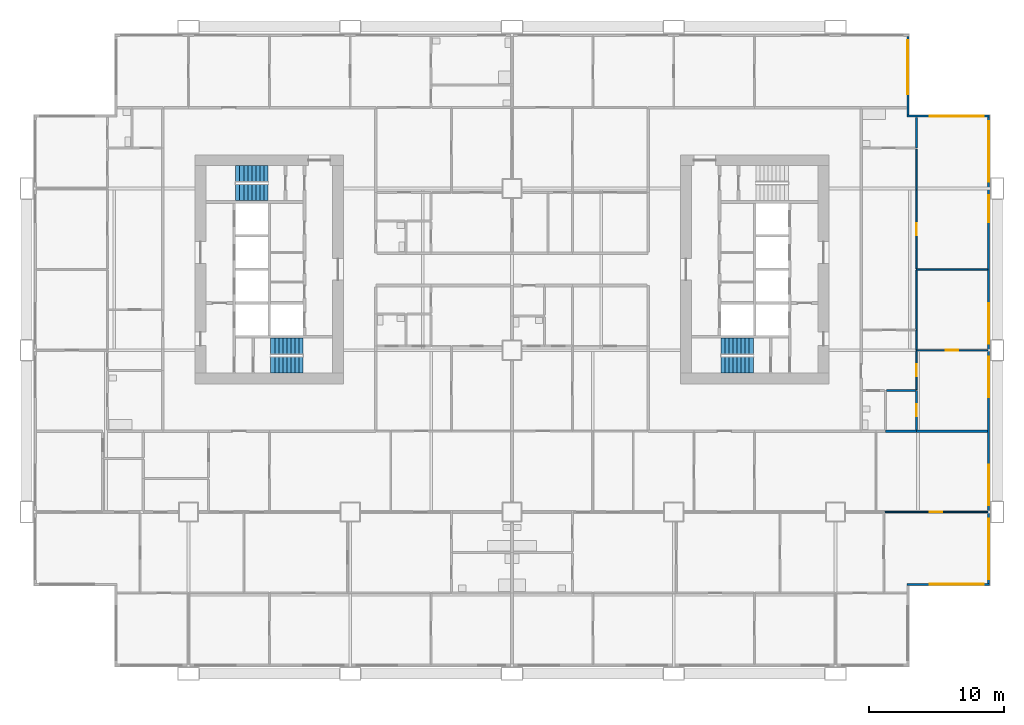
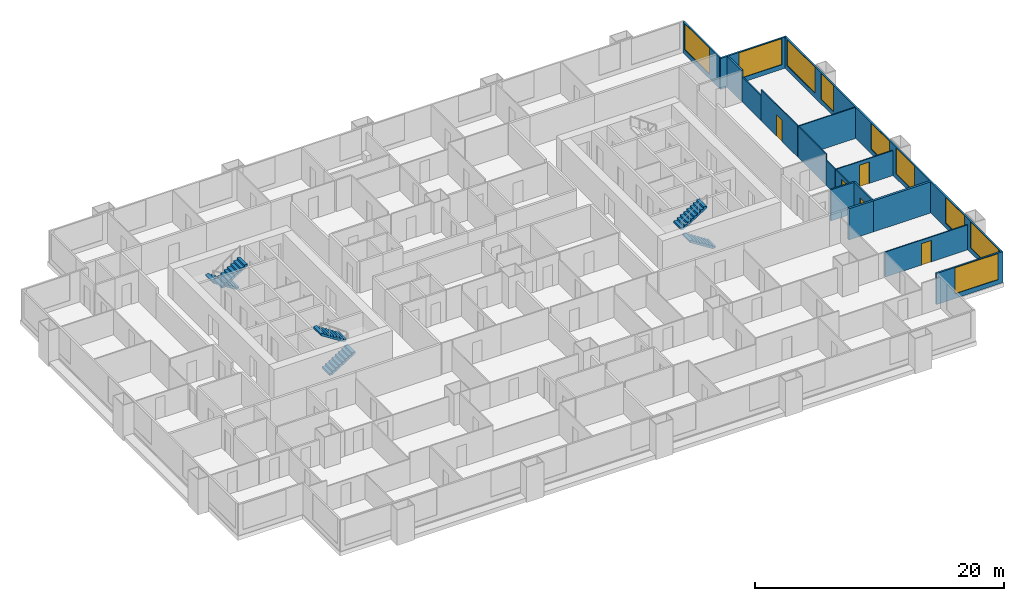
# One storey, part 11 of 14: 17 walls, 9 windows, 6 stair flights, 5 doors, 14 openings, 3 elements without a shape of their own.
"""IFC4 building model written with IfcOpenShell, lengths in metres."""

import ifcopenshell
import ifcopenshell.guid

model = None  # the IFC model being written
_history = None  # IfcOwnerHistory: only IFC2X3 demands one
_inside = {}  # id of a spatial element -> (the spatial element, [elements in it])
_under = {}  # id of a project, library or spatial element -> (it, [spatial elements below it])
_declared = {}  # id of a project -> (the project, [libraries it declares])
_typed = {}  # id of a type object -> (the type object, [elements of that type])
_made_of = {}  # id of a material, layer set ... -> (it, [elements and type objects made of it])


def new_model(schema):
    """Start an empty IFC model of exactly this schema.

    Asked for "IFC4X3", IfcOpenShell would pick the latest addendum, in which some entities
    have other attributes; the version numbers below select the first issue.
    IFC2X3 requires an IfcOwnerHistory on every rooted entity: one is made here for all.
    """
    global model, _history
    if schema == "IFC4X3":
        model = ifcopenshell.file(schema_version=(4, 3, 0, 0))
    else:
        model = ifcopenshell.file(schema=schema)
    _inside.clear()
    _under.clear()
    _declared.clear()
    _typed.clear()
    _made_of.clear()
    _history = None
    if model.schema == "IFC2X3":
        org = make("IfcOrganization", Name="unknown")
        user = make(
            "IfcPersonAndOrganization",
            ThePerson=make("IfcPerson", FamilyName="unknown"),
            TheOrganization=org,
        )
        app = make(
            "IfcApplication",
            ApplicationDeveloper=org,
            Version="unknown",
            ApplicationFullName="unknown",
            ApplicationIdentifier="unknown",
        )
        _history = make(
            "IfcOwnerHistory",
            OwningUser=user,
            OwningApplication=app,
            ChangeAction="ADDED",
            CreationDate=0,
        )
    return model


def make(cls, **values):
    """One entity of the class cls with the attributes given. An attribute that is None is left unset."""
    return model.create_entity(
        cls, **{name: value for name, value in values.items() if value is not None}
    )


def rooted(cls, **values):
    """An entity with a GlobalId (a new one), such as an element, a storey or a relation."""
    return make(cls, GlobalId=ifcopenshell.guid.new(), OwnerHistory=_history, **values)


def si_unit(unit_type, name, prefix=None):
    """IfcSIUnit, for example si_unit("LENGTHUNIT", "METRE", prefix="MILLI")."""
    return make("IfcSIUnit", UnitType=unit_type, Prefix=prefix, Name=name)


def assignment(units):
    """IfcUnitAssignment: the units of a project."""
    return None if units is None else make("IfcUnitAssignment", Units=units)


def point(xyz):
    """IfcCartesianPoint."""
    return None if xyz is None else make("IfcCartesianPoint", Coordinates=xyz)


def direction(xyz):
    """IfcDirection."""
    return None if xyz is None else make("IfcDirection", DirectionRatios=xyz)


def frame(location, z_axis=None, x_axis=None):
    """IfcAxis2Placement3D, a coordinate frame: its origin and axes. An axis left out is left unset."""
    return make(
        "IfcAxis2Placement3D",
        Location=point(location),
        Axis=direction(z_axis),
        RefDirection=direction(x_axis),
    )


def frame_2d(location, x_axis=None):
    """IfcAxis2Placement2D, a coordinate frame in the plane: its origin and x axis."""
    return make(
        "IfcAxis2Placement2D", Location=point(location), RefDirection=direction(x_axis)
    )


def origin():
    """The frame at (0, 0, 0) with its axes left unset."""
    return frame((0.0, 0.0, 0.0))


def place(relative_to, where):
    """IfcLocalPlacement: puts the frame where relative to a parent placement (None: the world)."""
    return make(
        "IfcLocalPlacement", PlacementRelTo=relative_to, RelativePlacement=where
    )


def context(
    kind, dimensions, precision=None, world=None, true_north=None, identifier=None
):
    """IfcGeometricRepresentationContext, for example the 3D "Model" context."""
    return make(
        "IfcGeometricRepresentationContext",
        ContextIdentifier=identifier,
        ContextType=kind,
        CoordinateSpaceDimension=dimensions,
        Precision=precision,
        WorldCoordinateSystem=world,
        TrueNorth=true_north,
    )


def subcontext(parent, identifier, kind, view, scale=None):
    """IfcGeometricRepresentationSubContext, for example "Body" below "Model"."""
    return make(
        "IfcGeometricRepresentationSubContext",
        ContextIdentifier=identifier,
        ContextType=kind,
        ParentContext=parent,
        TargetScale=scale,
        TargetView=view,
    )


def project(units=None, contexts=None):
    """IfcProject with its units and contexts."""
    return rooted(
        "IfcProject",
        Name="project",
        RepresentationContexts=contexts,
        UnitsInContext=assignment(units),
    )


def spatial(cls, under=None, at=None, **own):
    """A site, building, storey or space (cls), placed at a placement, below another one or the project."""
    s = rooted(cls, ObjectPlacement=at, **own)
    if under is not None:
        _under.setdefault(under.id(), (under, []))[1].append(s)
    return s


def polyline(points):
    """IfcPolyline through the points."""
    return make("IfcPolyline", Points=[point(p) for p in points])


def profile(cls, at=None, kind="AREA", **sizes):
    """A parametric profile (cls). Its sizes go by their IFC names, for example OverallWidth=200.0."""
    return make(cls, ProfileType=kind, Position=at, **sizes)


def rectangle(**sizes):
    """IfcRectangleProfileDef."""
    return profile("IfcRectangleProfileDef", **sizes)


def outline(outer, holes=None, kind="AREA"):
    """IfcArbitraryClosedProfileDef: a profile drawn as a closed curve; with holes, ...WithVoids."""
    if holes is None:
        return make("IfcArbitraryClosedProfileDef", ProfileType=kind, OuterCurve=outer)
    return make(
        "IfcArbitraryProfileDefWithVoids",
        ProfileType=kind,
        OuterCurve=outer,
        InnerCurves=holes,
    )


def extrude(swept, where, along, depth):
    """IfcExtrudedAreaSolid: the profile swept, set in the frame where, extruded along a direction by depth."""
    return make(
        "IfcExtrudedAreaSolid",
        SweptArea=swept,
        Position=where,
        ExtrudedDirection=direction(along),
        Depth=depth,
    )


def shape(context_of_items, identifier, shape_type, items):
    """IfcShapeRepresentation: the items that make up one representation, for example the "Body"."""
    return make(
        "IfcShapeRepresentation",
        ContextOfItems=context_of_items,
        RepresentationIdentifier=identifier,
        RepresentationType=shape_type,
        Items=items,
    )


def material(Name=None, Category=None):
    """IfcMaterial."""
    return make("IfcMaterial", Name=Name, Category=Category)


def layer(
    of_material, thickness, ventilated=None, Name=None, Category=None, Priority=None
):
    """IfcMaterialLayer: one layer of a wall or slab, of a material (None: an air gap)."""
    return make(
        "IfcMaterialLayer",
        Material=of_material,
        LayerThickness=thickness,
        IsVentilated=ventilated,
        Name=Name,
        Category=Category,
        Priority=Priority,
    )


def layer_set(layers, Name=None):
    """IfcMaterialLayerSet."""
    return make("IfcMaterialLayerSet", MaterialLayers=layers, LayerSetName=Name)


def made_of(thing, what):
    """Note that an element or type object is made of a material, layer set ...; save() writes the relation."""
    if what is not None:
        _made_of.setdefault(what.id(), (what, []))[1].append(thing)
    return thing


def type_object(cls, material=None, **own):
    """A type object (cls), such as IfcWallType, which elements share."""
    return made_of(rooted(cls, **own), material)


def element(
    cls,
    number,
    at=None,
    inside=None,
    cuts=None,
    type_object=None,
    material=None,
    context=None,
    identifier="Body",
    shape_type=None,
    held_by="IfcProductDefinitionShape",
    body=None,
    shapes=None,
    **own,
):
    """One element of the class cls, such as IfcWall. Its Tag is "e" and its number.

    at: its placement. inside: the storey or other place that contains it. cuts: it is an
    opening in that element (IfcRelVoidsElement). A single representation is given by context,
    identifier, shape_type and body (its items); several are given by shapes. held_by: the class
    of the entity that holds the representations. save() writes the other relations.
    """
    e = rooted(cls, Tag="e%d" % number, ObjectPlacement=at, **own)
    if body is not None:
        shapes = [shape(context, identifier, shape_type, body)]
    if shapes is not None:
        e.Representation = make(held_by, Representations=shapes)
    if inside is not None:
        _inside.setdefault(inside.id(), (inside, []))[1].append(e)
    if cuts is not None:
        rooted(
            "IfcRelVoidsElement", RelatingBuildingElement=cuts, RelatedOpeningElement=e
        )
    if type_object is not None:
        _typed.setdefault(type_object.id(), (type_object, []))[1].append(e)
    return made_of(e, material)


def fill(opening, filler):
    """IfcRelFillsElement: the door or window that sits in an opening."""
    return rooted(
        "IfcRelFillsElement",
        RelatingOpeningElement=opening,
        RelatedBuildingElement=filler,
    )


def aggregate(whole, parts):
    """IfcRelAggregates: a whole, such as a stair, and the parts it consists of."""
    return rooted("IfcRelAggregates", RelatingObject=whole, RelatedObjects=parts)


def save(model, path):
    """Write the relations noted so far, then the file.

    IfcRelAggregates (storeys below a building ...), IfcRelContainedInSpatialStructure (elements
    in a storey), IfcRelDefinesByType, IfcRelAssociatesMaterial and IfcRelDeclares: one each for
    every whole, place, type object, material and project.
    """
    for whole, parts in _under.values():
        aggregate(whole, parts)
    for where, things in _inside.values():
        rooted(
            "IfcRelContainedInSpatialStructure",
            RelatedElements=things,
            RelatingStructure=where,
        )
    for kind, things in _typed.values():
        rooted("IfcRelDefinesByType", RelatedObjects=things, RelatingType=kind)
    for what, things in _made_of.values():
        rooted("IfcRelAssociatesMaterial", RelatedObjects=things, RelatingMaterial=what)
    for by, libraries in _declared.values():
        rooted("IfcRelDeclares", RelatingContext=by, RelatedDefinitions=libraries)
    model.write(path)


model = new_model("IFC4")

# Units and contexts
model_context = context("Model", 3, precision=1e-05, world=origin(), true_north=direction((0.0, 1.0)))
body_context = subcontext(model_context, "Body", "Model", "MODEL_VIEW")
ifc_project = project(units=[si_unit("LENGTHUNIT", "METRE"), si_unit("AREAUNIT", "SQUARE_METRE"), si_unit("VOLUMEUNIT", "CUBIC_METRE"), si_unit("PLANEANGLEUNIT", "RADIAN"), si_unit("MASSUNIT", "GRAM", prefix="KILO")], contexts=[model_context])

# Site, building, storey
site_placement = place(None, origin())
site = spatial("IfcSite", under=ifc_project, at=site_placement, CompositionType="ELEMENT")
building_placement = place(site_placement, origin())
building = spatial("IfcBuilding", under=site, at=building_placement, Name="Kitamizu Gate Tower and Museum", CompositionType="ELEMENT")
storey_placement = place(building_placement, frame((0.0, 0.0, 61.050048828125)))
storey = spatial("IfcBuildingStorey", under=building, at=storey_placement, Name="L14", CompositionType="ELEMENT", Elevation=61.050048828125)

# Wall, opening, door
ifc_material_1 = material(Name="Gypsum board on galvanised stud")
ifc_layer_1 = layer(ifc_material_1, 0.10009765625)
ifc_layer_set_1 = layer_set([ifc_layer_1], Name="Gypsum board on galvanised stud")
wall_type_1 = type_object("IfcWallType", Name="Partition 100 NOT RATED", PredefinedType="PARTITIONING", material=ifc_layer_set_1)
wall_1_placement = place(storey_placement, frame((71.280029296875, 12.0, 0.0), z_axis=(0.0, 0.0, 1.0), x_axis=(-1.0, 0.0, 0.0)))
wall_1 = element("IfcWall", 1, at=wall_1_placement, inside=storey, type_object=wall_type_1, Name="Partition L14-098", PredefinedType="PARTITIONING", context=body_context, shape_type="SweptSolid", body=[
    extrude(rectangle(XDim=7.64501953125, YDim=0.10009765625, at=frame_2d((3.822509765625, 0.0))), origin(), (0.0, 0.0, 1.0), 2.449951171875),
])
opening_1_placement = place(wall_1_placement, frame((3.37255859375, 0.0, 0.0)))
opening_1 = element("IfcOpeningElement", 2, at=opening_1_placement, cuts=wall_1, Name="Opening L14-040", PredefinedType="OPENING", context=body_context, shape_type="SweptSolid", body=[
    extrude(rectangle(XDim=0.89990234375, YDim=2.10009765625, at=frame_2d((0.449951171875, 1.050048828125))), frame((0.0, 0.06005859375, 0.0), z_axis=(0.0, -1.0, 0.0), x_axis=(1.0, 0.0, 0.0)), (0.0, 0.0, 1.0), 0.1201171875),
])
ifc_material_2 = material(Name="Timber door set", Category="wood")
door_type_1 = type_object("IfcDoorType", Name="Room door 900", OperationType="NOTDEFINED", PredefinedType="DOOR", material=ifc_material_2)
door_1_placement = place(opening_1_placement, origin())
door_1 = element("IfcDoor", 3, at=door_1_placement, inside=storey, type_object=door_type_1, Name="Door L14-040", OperationType="SINGLE_SWING_LEFT", OverallHeight=2.10009765625, OverallWidth=0.89990234375, PredefinedType="DOOR", context=body_context, shape_type="SweptSolid", body=[
    extrude(rectangle(XDim=0.89990234375, YDim=2.10009765625, at=frame_2d((0.449951171875, 1.050048828125))), frame((0.0, 0.02490234375, 0.0), z_axis=(0.0, -1.0, 0.0), x_axis=(1.0, 0.0, 0.0)), (0.0, 0.0, 1.0), 0.050048828125),
])
fill(opening_1, door_1)

wall_2_placement = place(storey_placement, frame((71.280029296875, 24.0, 0.0), z_axis=(0.0, 0.0, 1.0), x_axis=(-1.0, 0.0, 0.0)))
wall_2 = element("IfcWall", 4, at=wall_2_placement, inside=storey, type_object=wall_type_1, Name="Partition L14-207", PredefinedType="PARTITIONING", context=body_context, shape_type="SweptSolid", body=[
    extrude(rectangle(XDim=5.280029296875, YDim=0.10009765625, at=frame_2d((2.64013671875, 0.0))), origin(), (0.0, 0.0, 1.0), 2.449951171875),
])
opening_2_placement = place(wall_2_placement, frame((2.18994140625, 0.0, 0.0)))
opening_2 = element("IfcOpeningElement", 5, at=opening_2_placement, cuts=wall_2, Name="Opening L14-081", PredefinedType="OPENING", context=body_context, shape_type="SweptSolid", body=[
    extrude(rectangle(XDim=0.89990234375, YDim=2.10009765625, at=frame_2d((0.449951171875, 1.050048828125))), frame((0.0, 0.06005859375, 0.0), z_axis=(0.0, -1.0, 0.0), x_axis=(1.0, 0.0, 0.0)), (0.0, 0.0, 1.0), 0.1201171875),
])
door_2_placement = place(opening_2_placement, origin())
door_2 = element("IfcDoor", 6, at=door_2_placement, inside=storey, type_object=door_type_1, Name="Door L14-081", OperationType="SINGLE_SWING_RIGHT", OverallHeight=2.10009765625, OverallWidth=0.89990234375, PredefinedType="DOOR", context=body_context, shape_type="SweptSolid", body=[
    extrude(rectangle(XDim=0.89990234375, YDim=2.10009765625, at=frame_2d((0.449951171875, 1.050048828125))), frame((0.0, 0.02490234375, 0.0), z_axis=(0.0, -1.0, 0.0), x_axis=(1.0, 0.0, 0.0)), (0.0, 0.0, 1.0), 0.050048828125),
])
fill(opening_2, door_2)

wall_3_placement = place(storey_placement, frame((66.0, 23.949951171875, 0.0), z_axis=(0.0, 0.0, 1.0), x_axis=(0.0, -1.0, 0.0)))
wall_3 = element("IfcWall", 7, at=wall_3_placement, inside=storey, type_object=wall_type_1, Name="Partition L14-209", PredefinedType="PARTITIONING", context=body_context, shape_type="SweptSolid", body=[
    extrude(rectangle(XDim=2.875, YDim=0.10009765625, at=frame_2d((1.4375, 0.0))), origin(), (0.0, 0.0, 1.0), 2.449951171875),
])
opening_3_placement = place(wall_3_placement, frame((0.987548828125, 0.0, 0.0)))
opening_3 = element("IfcOpeningElement", 8, at=opening_3_placement, cuts=wall_3, Name="Opening L14-078", PredefinedType="OPENING", context=body_context, shape_type="SweptSolid", body=[
    extrude(rectangle(XDim=0.89990234375, YDim=2.10009765625, at=frame_2d((0.449951171875, 1.050048828125))), frame((0.0, 0.06005859375, 0.0), z_axis=(0.0, -1.0, 0.0), x_axis=(1.0, 0.0, 0.0)), (0.0, 0.0, 1.0), 0.1201171875),
])
door_3_placement = place(opening_3_placement, origin())
door_3 = element("IfcDoor", 9, at=door_3_placement, inside=storey, type_object=door_type_1, Name="Door L14-078", OperationType="SINGLE_SWING_RIGHT", OverallHeight=2.10009765625, OverallWidth=0.89990234375, PredefinedType="DOOR", context=body_context, shape_type="SweptSolid", body=[
    extrude(rectangle(XDim=0.89990234375, YDim=2.10009765625, at=frame_2d((0.449951171875, 1.050048828125))), frame((0.0, 0.02490234375, 0.0), z_axis=(0.0, -1.0, 0.0), x_axis=(1.0, 0.0, 0.0)), (0.0, 0.0, 1.0), 0.050048828125),
])
fill(opening_3, door_3)

# Walls
wall_4_placement = place(storey_placement, frame((71.280029296875, 30.0, 0.0), z_axis=(0.0, 0.0, 1.0), x_axis=(-1.0, 0.0, 0.0)))
element("IfcWall", 10, at=wall_4_placement, inside=storey, type_object=wall_type_1, Name="Partition L14-210", PredefinedType="PARTITIONING", context=body_context, shape_type="SweptSolid", body=[
    extrude(rectangle(XDim=5.280029296875, YDim=0.10009765625, at=frame_2d((2.64013671875, 0.0))), origin(), (0.0, 0.0, 1.0), 3.050048828125),
])
wall_5_placement = place(storey_placement, frame((66.0, 25.5, 0.0), z_axis=(0.0, 0.0, 1.0), x_axis=(0.0, -1.0, 0.0)))
element("IfcWall", 11, at=wall_5_placement, inside=storey, type_object=wall_type_1, Name="Partition L14-211", PredefinedType="PARTITIONING", context=body_context, shape_type="SweptSolid", body=[
    extrude(rectangle(XDim=1.449951171875, YDim=0.10009765625, at=frame_2d((0.72509765625, 0.0))), origin(), (0.0, 0.0, 1.0), 2.449951171875),
])
wall_6_placement = place(storey_placement, frame((66.0, 29.949951171875, 0.0), z_axis=(0.0, 0.0, 1.0), x_axis=(0.0, -1.0, 0.0)))
element("IfcWall", 12, at=wall_6_placement, inside=storey, type_object=wall_type_1, Name="Partition L14-212", PredefinedType="PARTITIONING", context=body_context, shape_type="SweptSolid", body=[
    extrude(rectangle(XDim=4.449951171875, YDim=0.10009765625, at=frame_2d((2.22509765625, 0.0))), origin(), (0.0, 0.0, 1.0), 3.050048828125),
])
wall_7_placement = place(storey_placement, frame((66.0, 38.925048828125, 0.0), z_axis=(0.0, 0.0, 1.0), x_axis=(0.0, -1.0, 0.0)))
element("IfcWall", 13, at=wall_7_placement, inside=storey, type_object=wall_type_1, Name="Partition L14-213", PredefinedType="PARTITIONING", context=body_context, shape_type="SweptSolid", body=[
    extrude(rectangle(XDim=3.025146484375, YDim=0.10009765625, at=frame_2d((1.5126953125, 0.0))), origin(), (0.0, 0.0, 1.0), 2.449951171875),
])

# Wall, opening, door
wall_8_placement = place(storey_placement, frame((66.0, 35.89990234375, 0.0), z_axis=(0.0, 0.0, 1.0), x_axis=(0.0, -1.0, 0.0)))
wall_8 = element("IfcWall", 14, at=wall_8_placement, inside=storey, type_object=wall_type_1, Name="Partition L14-214", PredefinedType="PARTITIONING", context=body_context, shape_type="SweptSolid", body=[
    extrude(rectangle(XDim=5.849853515625, YDim=0.10009765625, at=frame_2d((2.9248046875, 0.0))), origin(), (0.0, 0.0, 1.0), 3.050048828125),
])
opening_4_placement = place(wall_8_placement, frame((2.47509765625, 0.0, 0.0)))
opening_4 = element("IfcOpeningElement", 15, at=opening_4_placement, cuts=wall_8, Name="Opening L14-080", PredefinedType="OPENING", context=body_context, shape_type="SweptSolid", body=[
    extrude(rectangle(XDim=0.89990234375, YDim=2.10009765625, at=frame_2d((0.449951171875, 1.050048828125))), frame((0.0, 0.06005859375, 0.0), z_axis=(0.0, -1.0, 0.0), x_axis=(1.0, 0.0, 0.0)), (0.0, 0.0, 1.0), 0.1201171875),
])
door_4_placement = place(opening_4_placement, origin())
door_4 = element("IfcDoor", 16, at=door_4_placement, inside=storey, type_object=door_type_1, Name="Door L14-080", OperationType="SINGLE_SWING_LEFT", OverallHeight=2.10009765625, OverallWidth=0.89990234375, PredefinedType="DOOR", context=body_context, shape_type="SweptSolid", body=[
    extrude(rectangle(XDim=0.89990234375, YDim=2.10009765625, at=frame_2d((0.449951171875, 1.050048828125))), frame((0.0, 0.02490234375, 0.0), z_axis=(0.0, -1.0, 0.0), x_axis=(1.0, 0.0, 0.0)), (0.0, 0.0, 1.0), 0.050048828125),
])
fill(opening_4, door_4)

ifc_material_3 = material(Name="Gypsum board on galvanised stud")
ifc_layer_2 = layer(ifc_material_3, 0.14990234375)
ifc_layer_set_2 = layer_set([ifc_layer_2], Name="Gypsum board on galvanised stud")
wall_type_2 = type_object("IfcWallType", Name="Partition 150", PredefinedType="PARTITIONING", material=ifc_layer_set_2)
wall_9_placement = place(storey_placement, frame((66.0, 21.0, 0.0), z_axis=(0.0, 0.0, 1.0), x_axis=(0.0, -1.0, 0.0)))
wall_9 = element("IfcWall", 17, at=wall_9_placement, inside=storey, type_object=wall_type_2, Name="Partition L14-208", PredefinedType="PARTITIONING", context=body_context, shape_type="SweptSolid", body=[
    extrude(rectangle(XDim=2.89990234375, YDim=0.14990234375, at=frame_2d((1.449951171875, 0.0))), origin(), (0.0, 0.0, 1.0), 3.050048828125),
])
opening_5_placement = place(wall_9_placement, frame((1.0, 0.0, 0.0)))
opening_5 = element("IfcOpeningElement", 18, at=opening_5_placement, cuts=wall_9, Name="Opening L14-083", PredefinedType="OPENING", context=body_context, shape_type="SweptSolid", body=[
    extrude(rectangle(XDim=0.89990234375, YDim=2.10009765625, at=frame_2d((0.449951171875, 1.050048828125))), frame((0.0, 0.0849609375, 0.0), z_axis=(0.0, -1.0, 0.0), x_axis=(1.0, 0.0, 0.0)), (0.0, 0.0, 1.0), 0.169921875),
])
ifc_material_4 = material(Name="Timber door set", Category="wood")
door_type_2 = type_object("IfcDoorType", Name="Bathroom door 900", OperationType="NOTDEFINED", PredefinedType="DOOR", material=ifc_material_4)
door_5_placement = place(opening_5_placement, frame((0.89990234375, 0.0, 0.0), x_axis=(-1.0, 0.0, 0.0)))
door_5 = element("IfcDoor", 19, at=door_5_placement, inside=storey, type_object=door_type_2, Name="Bathroom door L14-083", OperationType="SINGLE_SWING_LEFT", OverallHeight=2.10009765625, OverallWidth=0.89990234375, PredefinedType="DOOR", context=body_context, shape_type="SweptSolid", body=[
    extrude(rectangle(XDim=0.89990234375, YDim=2.10009765625, at=frame_2d((0.449951171875, 1.050048828125))), frame((0.0, 0.02490234375, 0.0), z_axis=(0.0, -1.0, 0.0), x_axis=(1.0, 0.0, 0.0)), (0.0, 0.0, 1.0), 0.050048828125),
])
fill(opening_5, door_5)

# Walls
wall_10_placement = place(storey_placement, frame((66.0, 41.280029296875, 0.0), z_axis=(0.0, 0.0, 1.0), x_axis=(0.0, -1.0, 0.0)))
element("IfcWall", 20, at=wall_10_placement, inside=storey, type_object=wall_type_2, Name="Partition L14-215", PredefinedType="PARTITIONING", context=body_context, shape_type="SweptSolid", body=[
    extrude(rectangle(XDim=2.280029296875, YDim=0.14990234375, at=frame_2d((1.14013671875, 0.0))), origin(), (0.0, 0.0, 1.0), 3.050048828125),
])
wall_11_placement = place(storey_placement, frame((65.925048828125, 21.0, 0.0), z_axis=(0.0, 0.0, 1.0), x_axis=(-1.0, 0.0, 0.0)))
element("IfcWall", 21, at=wall_11_placement, inside=storey, type_object=wall_type_2, Name="Partition L14-219", PredefinedType="PARTITIONING", context=body_context, shape_type="SweptSolid", body=[
    extrude(rectangle(XDim=2.150146484375, YDim=0.14990234375, at=frame_2d((1.0751953125, 0.0))), origin(), (0.0, 0.0, 1.0), 3.050048828125),
])
ifc_material_5 = material(Name="Gypsum board on galvanised stud")
ifc_layer_3 = layer(ifc_material_5, 0.199951171875)
ifc_layer_set_3 = layer_set([ifc_layer_3], Name="Gypsum board on galvanised stud")
wall_type_3 = type_object("IfcWallType", Name="Partition 200", PredefinedType="PARTITIONING", material=ifc_layer_set_3)
wall_12_placement = place(storey_placement, frame((71.280029296875, 18.0, 0.0), z_axis=(0.0, 0.0, 1.0), x_axis=(-1.0, 0.0, 0.0)))
element("IfcWall", 22, at=wall_12_placement, inside=storey, type_object=wall_type_3, Name="Partition L14-112", PredefinedType="PARTITIONING", context=body_context, shape_type="SweptSolid", body=[
    extrude(rectangle(XDim=5.280029296875, YDim=0.199951171875, at=frame_2d((2.64013671875, 0.0))), origin(), (0.0, 0.0, 1.0), 3.050048828125),
])
wall_13_placement = place(storey_placement, frame((66.0, 18.0, 0.0), z_axis=(0.0, 0.0, 1.0), x_axis=(-1.0, 0.0, 0.0)))
element("IfcWall", 23, at=wall_13_placement, inside=storey, type_object=wall_type_3, Name="Partition L14-114", PredefinedType="PARTITIONING", context=body_context, shape_type="SweptSolid", body=[
    extrude(rectangle(XDim=2.300048828125, YDim=0.199951171875, at=frame_2d((1.14990234375, 0.0))), origin(), (0.0, 0.0, 1.0), 3.050048828125),
])

# Wall, opening, window
ifc_material_6 = material(Name="Bronze anodised aluminium frame with insulated spandrel and tinted glass", Category="aluminium")
ifc_layer_4 = layer(ifc_material_6, 0.14990234375)
ifc_layer_set_4 = layer_set([ifc_layer_4], Name="Bronze anodised aluminium frame with insulated spandrel and tinted glass")
wall_type_4 = type_object("IfcWallType", Name="WINDOW WALL 150 BRONZE FRAME EI 30", PredefinedType="ELEMENTEDWALL", material=ifc_layer_set_4)
wall_14_placement = place(storey_placement, frame((65.2900390625, 6.635009765625, 0.0), z_axis=(0.0, 0.0, 1.0), x_axis=(1.0, 0.0, 0.0)))
wall_14 = element("IfcWall", 24, at=wall_14_placement, inside=storey, type_object=wall_type_4, Name="Window wall south L14", PredefinedType="ELEMENTEDWALL", context=body_context, shape_type="SweptSolid", body=[
    extrude(rectangle(XDim=6.14990234375, YDim=0.14990234375, at=frame_2d((3.074951171875, 0.0))), origin(), (0.0, 0.0, 1.0), 3.050048828125),
])
opening_6_placement = place(wall_14_placement, frame((1.7099609375, 0.0, 0.449951171875)))
opening_6 = element("IfcOpeningElement", 25, at=opening_6_placement, cuts=wall_14, Name="Opening W16", PredefinedType="OPENING", context=body_context, shape_type="SweptSolid", body=[
    extrude(rectangle(XDim=4.0, YDim=2.550048828125, at=frame_2d((2.0, 1.27490234375))), frame((0.0, 0.0849609375, 0.0), z_axis=(0.0, -1.0, 0.0), x_axis=(1.0, 0.0, 0.0)), (0.0, 0.0, 1.0), 0.169921875),
])
ifc_material_7 = material(Name="Bronze anodised aluminium frame, tinted triple glazing", Category="aluminium")
window_type_1 = type_object("IfcWindowType", Name="WINDOW 4000 x 2550 SILL 450", PartitioningType="SINGLE_PANEL", PredefinedType="WINDOW", material=ifc_material_7)
window_1_placement = place(opening_6_placement, origin())
window_1 = element("IfcWindow", 26, at=window_1_placement, inside=storey, type_object=window_type_1, Name="Window W16 L14", OverallHeight=2.550048828125, OverallWidth=4.0, PartitioningType="SINGLE_PANEL", PredefinedType="WINDOW", context=body_context, shape_type="SweptSolid", body=[
    extrude(rectangle(XDim=4.0, YDim=2.550048828125, at=frame_2d((2.0, 1.27490234375))), frame((0.0, 0.030029296875, 0.0), z_axis=(0.0, -1.0, 0.0), x_axis=(1.0, 0.0, 0.0)), (0.0, 0.0, 1.0), 0.06005859375),
])
fill(opening_6, window_1)

# Wall, openings, windows
wall_15_placement = place(storey_placement, frame((71.364990234375, 6.7099609375, 0.0), z_axis=(0.0, 0.0, 1.0), x_axis=(0.0, 1.0, 0.0)))
wall_15 = element("IfcWall", 27, at=wall_15_placement, inside=storey, type_object=wall_type_4, Name="Window wall east L14", PredefinedType="ELEMENTEDWALL", context=body_context, shape_type="SweptSolid", body=[
    extrude(rectangle(XDim=34.580078125, YDim=0.14990234375, at=frame_2d((17.2900390625, 0.0))), origin(), (0.0, 0.0, 1.0), 3.050048828125),
])
opening_7_placement = place(wall_15_placement, frame((0.2900390625, 0.0, 0.449951171875)))
opening_7 = element("IfcOpeningElement", 28, at=opening_7_placement, cuts=wall_15, Name="Opening W15", PredefinedType="OPENING", context=body_context, shape_type="SweptSolid", body=[
    extrude(rectangle(XDim=4.5, YDim=2.550048828125, at=frame_2d((2.25, 1.27490234375))), frame((0.0, 0.0849609375, 0.0), z_axis=(0.0, -1.0, 0.0), x_axis=(1.0, 0.0, 0.0)), (0.0, 0.0, 1.0), 0.169921875),
])
opening_8_placement = place(wall_15_placement, frame((5.7900390625, 0.0, 0.449951171875)))
opening_8 = element("IfcOpeningElement", 29, at=opening_8_placement, cuts=wall_15, Name="Opening W33", PredefinedType="OPENING", context=body_context, shape_type="SweptSolid", body=[
    extrude(rectangle(XDim=3.0, YDim=2.550048828125, at=frame_2d((1.5, 1.27490234375))), frame((0.0, 0.0849609375, 0.0), z_axis=(0.0, -1.0, 0.0), x_axis=(1.0, 0.0, 0.0)), (0.0, 0.0, 1.0), 0.169921875),
])
opening_9_placement = place(wall_15_placement, frame((13.7900390625, 0.0, 0.449951171875)))
opening_9 = element("IfcOpeningElement", 30, at=opening_9_placement, cuts=wall_15, Name="Opening W33", PredefinedType="OPENING", context=body_context, shape_type="SweptSolid", body=[
    extrude(rectangle(XDim=3.0, YDim=2.550048828125, at=frame_2d((1.5, 1.27490234375))), frame((0.0, 0.0849609375, 0.0), z_axis=(0.0, -1.0, 0.0), x_axis=(1.0, 0.0, 0.0)), (0.0, 0.0, 1.0), 0.169921875),
])
opening_10_placement = place(wall_15_placement, frame((17.7900390625, 0.0, 0.449951171875)))
opening_10 = element("IfcOpeningElement", 31, at=opening_10_placement, cuts=wall_15, Name="Opening W33", PredefinedType="OPENING", context=body_context, shape_type="SweptSolid", body=[
    extrude(rectangle(XDim=3.0, YDim=2.550048828125, at=frame_2d((1.5, 1.27490234375))), frame((0.0, 0.0849609375, 0.0), z_axis=(0.0, -1.0, 0.0), x_axis=(1.0, 0.0, 0.0)), (0.0, 0.0, 1.0), 0.169921875),
])
opening_11_placement = place(wall_15_placement, frame((26.7900390625, 0.0, 0.449951171875)))
opening_11 = element("IfcOpeningElement", 32, at=opening_11_placement, cuts=wall_15, Name="Opening W2", PredefinedType="OPENING", context=body_context, shape_type="SweptSolid", body=[
    extrude(rectangle(XDim=2.0, YDim=2.550048828125, at=frame_2d((1.0, 1.27490234375))), frame((0.0, 0.0849609375, 0.0), z_axis=(0.0, -1.0, 0.0), x_axis=(1.0, 0.0, 0.0)), (0.0, 0.0, 1.0), 0.169921875),
])
opening_12_placement = place(wall_15_placement, frame((29.7900390625, 0.0, 0.449951171875)))
opening_12 = element("IfcOpeningElement", 33, at=opening_12_placement, cuts=wall_15, Name="Opening W15", PredefinedType="OPENING", context=body_context, shape_type="SweptSolid", body=[
    extrude(rectangle(XDim=4.5, YDim=2.550048828125, at=frame_2d((2.25, 1.27490234375))), frame((0.0, 0.0849609375, 0.0), z_axis=(0.0, -1.0, 0.0), x_axis=(1.0, 0.0, 0.0)), (0.0, 0.0, 1.0), 0.169921875),
])
ifc_material_8 = material(Name="Bronze anodised aluminium frame, tinted triple glazing", Category="aluminium")
window_type_2 = type_object("IfcWindowType", Name="WINDOW 2000 x 2550 SILL 450", PartitioningType="SINGLE_PANEL", PredefinedType="WINDOW", material=ifc_material_8)
window_2_placement = place(opening_11_placement, origin())
window_2 = element("IfcWindow", 34, at=window_2_placement, inside=storey, type_object=window_type_2, Name="Window W2 L14", OverallHeight=2.550048828125, OverallWidth=2.0, PartitioningType="SINGLE_PANEL", PredefinedType="WINDOW", context=body_context, shape_type="SweptSolid", body=[
    extrude(rectangle(XDim=2.0, YDim=2.550048828125, at=frame_2d((1.0, 1.27490234375))), frame((0.0, 0.030029296875, 0.0), z_axis=(0.0, -1.0, 0.0), x_axis=(1.0, 0.0, 0.0)), (0.0, 0.0, 1.0), 0.06005859375),
])
fill(opening_11, window_2)
ifc_material_9 = material(Name="Bronze anodised aluminium frame, tinted triple glazing", Category="aluminium")
window_type_3 = type_object("IfcWindowType", Name="WINDOW 3000 x 2550 SILL 450", PartitioningType="SINGLE_PANEL", PredefinedType="WINDOW", material=ifc_material_9)
window_3_placement = place(opening_8_placement, origin())
window_3 = element("IfcWindow", 35, at=window_3_placement, inside=storey, type_object=window_type_3, Name="Window W33 L14", OverallHeight=2.550048828125, OverallWidth=3.0, PartitioningType="SINGLE_PANEL", PredefinedType="WINDOW", context=body_context, shape_type="SweptSolid", body=[
    extrude(rectangle(XDim=3.0, YDim=2.550048828125, at=frame_2d((1.5, 1.27490234375))), frame((0.0, 0.030029296875, 0.0), z_axis=(0.0, -1.0, 0.0), x_axis=(1.0, 0.0, 0.0)), (0.0, 0.0, 1.0), 0.06005859375),
])
fill(opening_8, window_3)
window_4_placement = place(opening_9_placement, origin())
window_4 = element("IfcWindow", 36, at=window_4_placement, inside=storey, type_object=window_type_3, Name="Window W33 L14", OverallHeight=2.550048828125, OverallWidth=3.0, PartitioningType="SINGLE_PANEL", PredefinedType="WINDOW", context=body_context, shape_type="SweptSolid", body=[
    extrude(rectangle(XDim=3.0, YDim=2.550048828125, at=frame_2d((1.5, 1.27490234375))), frame((0.0, 0.030029296875, 0.0), z_axis=(0.0, -1.0, 0.0), x_axis=(1.0, 0.0, 0.0)), (0.0, 0.0, 1.0), 0.06005859375),
])
fill(opening_9, window_4)
window_5_placement = place(opening_10_placement, origin())
window_5 = element("IfcWindow", 37, at=window_5_placement, inside=storey, type_object=window_type_3, Name="Window W33 L14", OverallHeight=2.550048828125, OverallWidth=3.0, PartitioningType="SINGLE_PANEL", PredefinedType="WINDOW", context=body_context, shape_type="SweptSolid", body=[
    extrude(rectangle(XDim=3.0, YDim=2.550048828125, at=frame_2d((1.5, 1.27490234375))), frame((0.0, 0.030029296875, 0.0), z_axis=(0.0, -1.0, 0.0), x_axis=(1.0, 0.0, 0.0)), (0.0, 0.0, 1.0), 0.06005859375),
])
fill(opening_10, window_5)
ifc_material_10 = material(Name="Bronze anodised aluminium frame, tinted triple glazing", Category="aluminium")
window_type_4 = type_object("IfcWindowType", Name="WINDOW 4500 x 2550 SILL 450", PartitioningType="SINGLE_PANEL", PredefinedType="WINDOW", material=ifc_material_10)
window_6_placement = place(opening_7_placement, origin())
window_6 = element("IfcWindow", 38, at=window_6_placement, inside=storey, type_object=window_type_4, Name="Window W15 L14", OverallHeight=2.550048828125, OverallWidth=4.5, PartitioningType="SINGLE_PANEL", PredefinedType="WINDOW", context=body_context, shape_type="SweptSolid", body=[
    extrude(rectangle(XDim=4.5, YDim=2.550048828125, at=frame_2d((2.25, 1.27490234375))), frame((0.0, 0.030029296875, 0.0), z_axis=(0.0, -1.0, 0.0), x_axis=(1.0, 0.0, 0.0)), (0.0, 0.0, 1.0), 0.06005859375),
])
fill(opening_7, window_6)
window_7_placement = place(opening_12_placement, origin())
window_7 = element("IfcWindow", 39, at=window_7_placement, inside=storey, type_object=window_type_4, Name="Window W15 L14", OverallHeight=2.550048828125, OverallWidth=4.5, PartitioningType="SINGLE_PANEL", PredefinedType="WINDOW", context=body_context, shape_type="SweptSolid", body=[
    extrude(rectangle(XDim=4.5, YDim=2.550048828125, at=frame_2d((2.25, 1.27490234375))), frame((0.0, 0.030029296875, 0.0), z_axis=(0.0, -1.0, 0.0), x_axis=(1.0, 0.0, 0.0)), (0.0, 0.0, 1.0), 0.06005859375),
])
fill(opening_12, window_7)

# Wall, opening, window
wall_16_placement = place(storey_placement, frame((65.2900390625, 41.364990234375, 0.0), z_axis=(0.0, 0.0, 1.0), x_axis=(1.0, 0.0, 0.0)))
wall_16 = element("IfcWall", 40, at=wall_16_placement, inside=storey, type_object=wall_type_4, Name="Window wall north L14", PredefinedType="ELEMENTEDWALL", context=body_context, shape_type="SweptSolid", body=[
    extrude(rectangle(XDim=6.14990234375, YDim=0.14990234375, at=frame_2d((3.074951171875, 0.0))), origin(), (0.0, 0.0, 1.0), 3.050048828125),
])
opening_13_placement = place(wall_16_placement, frame((1.7099609375, 0.0, 0.449951171875)))
opening_13 = element("IfcOpeningElement", 41, at=opening_13_placement, cuts=wall_16, Name="Opening W16", PredefinedType="OPENING", context=body_context, shape_type="SweptSolid", body=[
    extrude(rectangle(XDim=4.0, YDim=2.550048828125, at=frame_2d((2.0, 1.27490234375))), frame((0.0, 0.0849609375, 0.0), z_axis=(0.0, -1.0, 0.0), x_axis=(1.0, 0.0, 0.0)), (0.0, 0.0, 1.0), 0.169921875),
])
window_8_placement = place(opening_13_placement, origin())
window_8 = element("IfcWindow", 42, at=window_8_placement, inside=storey, type_object=window_type_1, Name="Window W16 L14", OverallHeight=2.550048828125, OverallWidth=4.0, PartitioningType="SINGLE_PANEL", PredefinedType="WINDOW", context=body_context, shape_type="SweptSolid", body=[
    extrude(rectangle(XDim=4.0, YDim=2.550048828125, at=frame_2d((2.0, 1.27490234375))), frame((0.0, 0.030029296875, 0.0), z_axis=(0.0, -1.0, 0.0), x_axis=(1.0, 0.0, 0.0)), (0.0, 0.0, 1.0), 0.06005859375),
])
fill(opening_13, window_8)

wall_17_placement = place(storey_placement, frame((65.364990234375, 41.43994140625, 0.0), z_axis=(0.0, 0.0, 1.0), x_axis=(0.0, 1.0, 0.0)))
wall_17 = element("IfcWall", 43, at=wall_17_placement, inside=storey, type_object=wall_type_4, Name="Window wall east L14", PredefinedType="ELEMENTEDWALL", context=body_context, shape_type="SweptSolid", body=[
    extrude(rectangle(XDim=5.85009765625, YDim=0.14990234375, at=frame_2d((2.925048828125, 0.0))), origin(), (0.0, 0.0, 1.0), 3.050048828125),
])
opening_14_placement = place(wall_17_placement, frame((1.56005859375, 0.0, 0.449951171875)))
opening_14 = element("IfcOpeningElement", 44, at=opening_14_placement, cuts=wall_17, Name="Opening W16", PredefinedType="OPENING", context=body_context, shape_type="SweptSolid", body=[
    extrude(rectangle(XDim=4.0, YDim=2.550048828125, at=frame_2d((2.0, 1.27490234375))), frame((0.0, 0.0849609375, 0.0), z_axis=(0.0, -1.0, 0.0), x_axis=(1.0, 0.0, 0.0)), (0.0, 0.0, 1.0), 0.169921875),
])
window_9_placement = place(opening_14_placement, origin())
window_9 = element("IfcWindow", 45, at=window_9_placement, inside=storey, type_object=window_type_1, Name="Window W16 L14", OverallHeight=2.550048828125, OverallWidth=4.0, PartitioningType="SINGLE_PANEL", PredefinedType="WINDOW", context=body_context, shape_type="SweptSolid", body=[
    extrude(rectangle(XDim=4.0, YDim=2.550048828125, at=frame_2d((2.0, 1.27490234375))), frame((0.0, 0.030029296875, 0.0), z_axis=(0.0, -1.0, 0.0), x_axis=(1.0, 0.0, 0.0)), (0.0, 0.0, 1.0), 0.06005859375),
])
fill(opening_14, window_9)

# Stair, stair flights
ifc_material_11 = material(Name="Concrete Fc42", Category="concrete")
stair_type = type_object("IfcStairType", Name="Exit stair 1200 wide 192 rise 300 going", PredefinedType="HALF_TURN_STAIR", material=ifc_material_11)
stair_1_placement = place(storey_placement, origin())
stair_1 = element("IfcStair", 46, at=stair_1_placement, inside=storey, type_object=stair_type, Name="Exit stair ST1", PredefinedType="HALF_TURN_STAIR")
ifc_material_12 = material(Name="Concrete Fc42", Category="concrete")
stair_flight_type = type_object("IfcStairFlightType", Name="Stair flight 1200 wide 192 rise 300 going", PredefinedType="STRAIGHT", material=ifc_material_12)
stair_flight_1_placement = place(storey_placement, frame((18.10009765625, 22.89990234375, 0.0), z_axis=(0.0, 0.0, 1.0), x_axis=(1.0, 0.0, 0.0)))
stair_flight_1 = element("IfcStairFlight", 47, at=stair_flight_1_placement, type_object=stair_flight_type, Name="ST1 flight 1", NumberOfRisers=9, NumberOfTreads=8, PredefinedType="STRAIGHT", RiserHeight=0.191666667, TreadLength=0.3, context=body_context, shape_type="SweptSolid", body=[
    extrude(outline(polyline([(0.0, 0.0), (0.0, 0.191650390625), (0.300048828125, 0.191650390625), (0.300048828125, 0.38330078125), (0.60009765625, 0.38330078125), (0.60009765625, 0.574951171875), (0.89990234375, 0.574951171875), (0.89990234375, 0.7666015625), (1.199951171875, 0.7666015625), (1.199951171875, 0.958251953125), (1.5, 0.958251953125), (1.5, 1.14990234375), (1.800048828125, 1.14990234375), (1.800048828125, 1.341552734375), (2.10009765625, 1.341552734375), (2.10009765625, 1.533447265625), (2.39990234375, 1.533447265625), (2.39990234375, 1.72509765625), (2.39990234375, 1.35546875), (0.2783203125, 0.0), (0.0, 0.0)])), frame((0.0, 0.60009765625, 0.0), z_axis=(0.0, -1.0, 0.0), x_axis=(1.0, 0.0, 0.0)), (0.0, 0.0, 1.0), 1.199951171875),
])
stair_flight_2_placement = place(storey_placement, frame((20.5, 24.300048828125, 1.724853515625), z_axis=(0.0, 0.0, 1.0), x_axis=(-1.0, 0.0, 0.0)))
stair_flight_2 = element("IfcStairFlight", 48, at=stair_flight_2_placement, type_object=stair_flight_type, Name="ST1 flight 2", NumberOfRisers=9, NumberOfTreads=8, PredefinedType="STRAIGHT", RiserHeight=0.191666667, TreadLength=0.3, context=body_context, shape_type="SweptSolid", body=[
    extrude(outline(polyline([(0.0, 0.0), (0.0, 0.191650390625), (0.300048828125, 0.191650390625), (0.300048828125, 0.38330078125), (0.60009765625, 0.38330078125), (0.60009765625, 0.574951171875), (0.89990234375, 0.574951171875), (0.89990234375, 0.7666015625), (1.199951171875, 0.7666015625), (1.199951171875, 0.958251953125), (1.5, 0.958251953125), (1.5, 1.14990234375), (1.800048828125, 1.14990234375), (1.800048828125, 1.341552734375), (2.10009765625, 1.341552734375), (2.10009765625, 1.533447265625), (2.39990234375, 1.533447265625), (2.39990234375, 1.72509765625), (2.39990234375, 1.35546875), (0.2783203125, 0.0), (0.0, 0.0)])), frame((0.0, 0.60009765625, 0.0), z_axis=(0.0, -1.0, 0.0), x_axis=(1.0, 0.0, 0.0)), (0.0, 0.0, 1.0), 1.199951171875),
])
aggregate(stair_1, [stair_flight_1, stair_flight_2])

stair_2_placement = place(storey_placement, origin())
stair_2 = element("IfcStair", 49, at=stair_2_placement, inside=storey, type_object=stair_type, Name="Exit stair ST2", PredefinedType="HALF_TURN_STAIR")
stair_flight_3_placement = place(storey_placement, frame((17.89990234375, 37.10009765625, 0.0), z_axis=(0.0, 0.0, 1.0), x_axis=(-1.0, 0.0, 0.0)))
stair_flight_3 = element("IfcStairFlight", 50, at=stair_flight_3_placement, type_object=stair_flight_type, Name="ST2 flight 1", NumberOfRisers=9, NumberOfTreads=8, PredefinedType="STRAIGHT", RiserHeight=0.191666667, TreadLength=0.3, context=body_context, shape_type="SweptSolid", body=[
    extrude(outline(polyline([(0.0, 0.0), (0.0, 0.191650390625), (0.300048828125, 0.191650390625), (0.300048828125, 0.38330078125), (0.60009765625, 0.38330078125), (0.60009765625, 0.574951171875), (0.89990234375, 0.574951171875), (0.89990234375, 0.7666015625), (1.199951171875, 0.7666015625), (1.199951171875, 0.958251953125), (1.5, 0.958251953125), (1.5, 1.14990234375), (1.800048828125, 1.14990234375), (1.800048828125, 1.341552734375), (2.10009765625, 1.341552734375), (2.10009765625, 1.533447265625), (2.39990234375, 1.533447265625), (2.39990234375, 1.72509765625), (2.39990234375, 1.35546875), (0.2783203125, 0.0), (0.0, 0.0)])), frame((0.0, 0.60009765625, 0.0), z_axis=(0.0, -1.0, 0.0), x_axis=(1.0, 0.0, 0.0)), (0.0, 0.0, 1.0), 1.199951171875),
])
stair_flight_4_placement = place(storey_placement, frame((15.5, 35.699951171875, 1.724853515625), z_axis=(0.0, 0.0, 1.0), x_axis=(1.0, 0.0, 0.0)))
stair_flight_4 = element("IfcStairFlight", 51, at=stair_flight_4_placement, type_object=stair_flight_type, Name="ST2 flight 2", NumberOfRisers=9, NumberOfTreads=8, PredefinedType="STRAIGHT", RiserHeight=0.191666667, TreadLength=0.3, context=body_context, shape_type="SweptSolid", body=[
    extrude(outline(polyline([(0.0, 0.0), (0.0, 0.191650390625), (0.300048828125, 0.191650390625), (0.300048828125, 0.38330078125), (0.60009765625, 0.38330078125), (0.60009765625, 0.574951171875), (0.89990234375, 0.574951171875), (0.89990234375, 0.7666015625), (1.199951171875, 0.7666015625), (1.199951171875, 0.958251953125), (1.5, 0.958251953125), (1.5, 1.14990234375), (1.800048828125, 1.14990234375), (1.800048828125, 1.341552734375), (2.10009765625, 1.341552734375), (2.10009765625, 1.533447265625), (2.39990234375, 1.533447265625), (2.39990234375, 1.72509765625), (2.39990234375, 1.35546875), (0.2783203125, 0.0), (0.0, 0.0)])), frame((0.0, 0.60009765625, 0.0), z_axis=(0.0, -1.0, 0.0), x_axis=(1.0, 0.0, 0.0)), (0.0, 0.0, 1.0), 1.199951171875),
])
aggregate(stair_2, [stair_flight_3, stair_flight_4])

stair_3_placement = place(storey_placement, origin())
stair_3 = element("IfcStair", 52, at=stair_3_placement, inside=storey, type_object=stair_type, Name="Exit stair ST3", PredefinedType="HALF_TURN_STAIR")
stair_flight_5_placement = place(storey_placement, frame((53.89990234375, 22.89990234375, 0.0), z_axis=(0.0, 0.0, 1.0), x_axis=(-1.0, 0.0, 0.0)))
stair_flight_5 = element("IfcStairFlight", 53, at=stair_flight_5_placement, type_object=stair_flight_type, Name="ST3 flight 1", NumberOfRisers=9, NumberOfTreads=8, PredefinedType="STRAIGHT", RiserHeight=0.191666667, TreadLength=0.3, context=body_context, shape_type="SweptSolid", body=[
    extrude(outline(polyline([(0.0, 0.0), (0.0, 0.191650390625), (0.300048828125, 0.191650390625), (0.300048828125, 0.38330078125), (0.60009765625, 0.38330078125), (0.60009765625, 0.574951171875), (0.89990234375, 0.574951171875), (0.89990234375, 0.7666015625), (1.199951171875, 0.7666015625), (1.199951171875, 0.958251953125), (1.5, 0.958251953125), (1.5, 1.14990234375), (1.800048828125, 1.14990234375), (1.800048828125, 1.341552734375), (2.10009765625, 1.341552734375), (2.10009765625, 1.533447265625), (2.39990234375, 1.533447265625), (2.39990234375, 1.72509765625), (2.39990234375, 1.35546875), (0.2783203125, 0.0), (0.0, 0.0)])), frame((0.0, 0.60009765625, 0.0), z_axis=(0.0, -1.0, 0.0), x_axis=(1.0, 0.0, 0.0)), (0.0, 0.0, 1.0), 1.199951171875),
])
stair_flight_6_placement = place(storey_placement, frame((51.5, 24.300048828125, 1.724853515625), z_axis=(0.0, 0.0, 1.0), x_axis=(1.0, 0.0, 0.0)))
stair_flight_6 = element("IfcStairFlight", 54, at=stair_flight_6_placement, type_object=stair_flight_type, Name="ST3 flight 2", NumberOfRisers=9, NumberOfTreads=8, PredefinedType="STRAIGHT", RiserHeight=0.191666667, TreadLength=0.3, context=body_context, shape_type="SweptSolid", body=[
    extrude(outline(polyline([(0.0, 0.0), (0.0, 0.191650390625), (0.300048828125, 0.191650390625), (0.300048828125, 0.38330078125), (0.60009765625, 0.38330078125), (0.60009765625, 0.574951171875), (0.89990234375, 0.574951171875), (0.89990234375, 0.7666015625), (1.199951171875, 0.7666015625), (1.199951171875, 0.958251953125), (1.5, 0.958251953125), (1.5, 1.14990234375), (1.800048828125, 1.14990234375), (1.800048828125, 1.341552734375), (2.10009765625, 1.341552734375), (2.10009765625, 1.533447265625), (2.39990234375, 1.533447265625), (2.39990234375, 1.72509765625), (2.39990234375, 1.35546875), (0.2783203125, 0.0), (0.0, 0.0)])), frame((0.0, 0.60009765625, 0.0), z_axis=(0.0, -1.0, 0.0), x_axis=(1.0, 0.0, 0.0)), (0.0, 0.0, 1.0), 1.199951171875),
])
aggregate(stair_3, [stair_flight_5, stair_flight_6])

save(model, "model.ifc")
